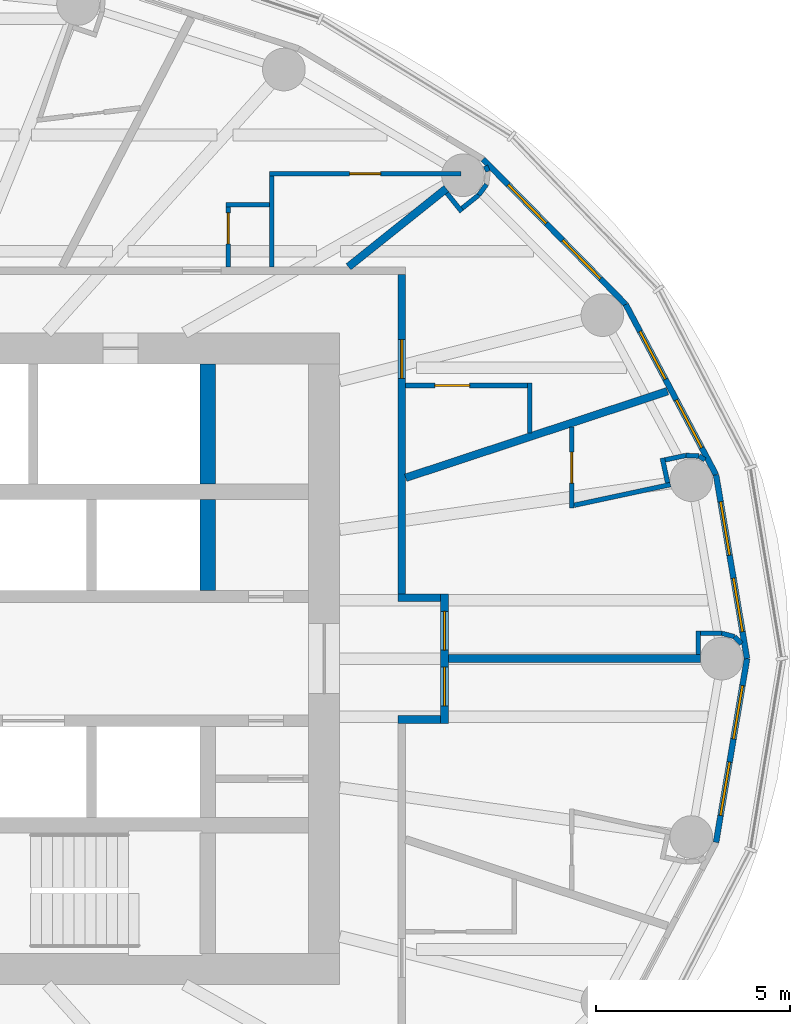
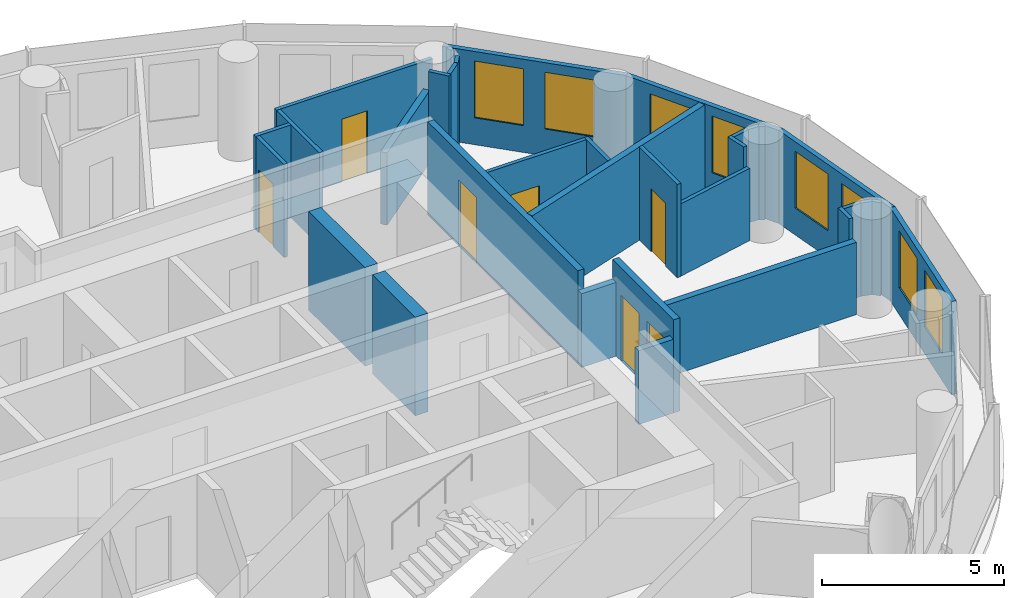
# One storey, part 11 of 16: 33 walls, 8 windows, 7 doors, 15 openings.
"""IFC4 building model written with IfcOpenShell, lengths in metres."""

from ifc_helpers import new_model, si_unit, direction, frame, frame_2d, origin, place, context, subcontext, project, spatial, rectangle, extrude, material, layer, layer_set, type_object, element, fill, save


model = new_model("IFC4")

# Units and contexts
model_context = context("Model", 3, precision=1e-05, world=origin(), true_north=direction((0.0, 1.0)))
body_context = subcontext(model_context, "Body", "Model", "MODEL_VIEW")
ifc_project = project(units=[si_unit("LENGTHUNIT", "METRE"), si_unit("AREAUNIT", "SQUARE_METRE"), si_unit("VOLUMEUNIT", "CUBIC_METRE"), si_unit("PLANEANGLEUNIT", "RADIAN"), si_unit("MASSUNIT", "GRAM", prefix="KILO")], contexts=[model_context])

# Site, building, storey
site_placement = place(None, origin())
site = spatial("IfcSite", under=ifc_project, at=site_placement, CompositionType="ELEMENT")
building_placement = place(site_placement, origin())
building = spatial("IfcBuilding", under=site, at=building_placement, Name="Hankou Lantern Tower", CompositionType="ELEMENT")
storey_placement = place(building_placement, frame((0.0, 0.0, 146.699951171875)))
storey = spatial("IfcBuildingStorey", under=building, at=storey_placement, Name="L38", CompositionType="ELEMENT", Elevation=146.699951171875)

# Walls
ifc_material_1 = material(Name="Concrete C60", Category="concrete")
ifc_layer_1 = layer(ifc_material_1, 0.39990234375)
ifc_layer_set_1 = layer_set([ifc_layer_1], Name="Concrete C60")
wall_type_1 = type_object("IfcWallType", Name="CW4 CORE CROSS WALL 400", PredefinedType="SHEAR", material=ifc_layer_set_1)
wall_1_placement = place(storey_placement, frame((9.0, 4.5, 0.0), z_axis=(0.0, 0.0, 1.0), x_axis=(0.0, 1.0, 0.0)))
element("IfcWall", 1, at=wall_1_placement, inside=storey, type_object=wall_type_1, Name="Core strip wall L38", PredefinedType="SHEAR", context=body_context, shape_type="SweptSolid", body=[
    extrude(rectangle(XDim=3.10009765625, YDim=0.39990234375, at=frame_2d((1.550048828125, 0.0))), origin(), (0.0, 0.0, 1.0), 3.300048828125),
])
wall_2_placement = place(storey_placement, frame((9.0, 1.75, 0.0), z_axis=(0.0, 0.0, 1.0), x_axis=(0.0, 1.0, 0.0)))
element("IfcWall", 2, at=wall_2_placement, inside=storey, type_object=wall_type_1, Name="Core strip wall L38", PredefinedType="SHEAR", context=body_context, shape_type="SweptSolid", body=[
    extrude(rectangle(XDim=2.35009765625, YDim=0.39990234375, at=frame_2d((1.175048828125, 0.0))), origin(), (0.0, 0.0, 1.0), 3.300048828125),
])

# Wall, openings, windows
ifc_material_2 = material(Name="Aluminium spandrel panel on steel studs", Category="steel")
ifc_layer_2 = layer(ifc_material_2, 0.14990234375)
ifc_layer_set_2 = layer_set([ifc_layer_2], Name="Aluminium spandrel panel on steel studs")
wall_type_2 = type_object("IfcWallType", Name="EW1 INNER SKIN WALL 150", PredefinedType="ELEMENTEDWALL", material=ifc_layer_set_2)
wall_3_placement = place(storey_placement, frame((22.89990234375, 0.0, 0.0), z_axis=(0.0, 0.0, 1.0), x_axis=(-0.166162111254, 0.986098449843, 0.0)))
wall_3 = element("IfcWall", 3, at=wall_3_placement, inside=storey, type_object=wall_type_2, Name="Inner skin R01-R02 L38", PredefinedType="ELEMENTEDWALL", context=body_context, shape_type="SweptSolid", body=[
    extrude(rectangle(XDim=4.8046875, YDim=0.14990234375, at=frame_2d((2.40234375, 0.0))), origin(), (0.0, 0.0, 1.0), 3.1201171875),
])
opening_1_placement = place(wall_3_placement, frame((0.7021484375, 0.0, 0.89990234375)))
opening_1 = element("IfcOpeningElement", 4, at=opening_1_placement, cuts=wall_3, Name="Opening W3", PredefinedType="OPENING", context=body_context, shape_type="SweptSolid", body=[
    extrude(rectangle(XDim=1.39990234375, YDim=1.89990234375, at=frame_2d((0.699951171875, 0.949951171875))), frame((0.0, 0.0849609375, 0.0), z_axis=(0.0, -1.0, 0.0), x_axis=(1.0, 0.0, 0.0)), (0.0, 0.0, 1.0), 0.169921875),
])
opening_2_placement = place(wall_3_placement, frame((2.7021484375, 0.0, 0.89990234375)))
opening_2 = element("IfcOpeningElement", 5, at=opening_2_placement, cuts=wall_3, Name="Opening W3", PredefinedType="OPENING", context=body_context, shape_type="SweptSolid", body=[
    extrude(rectangle(XDim=1.39990234375, YDim=1.89990234375, at=frame_2d((0.699951171875, 0.949951171875))), frame((0.0, 0.0849609375, 0.0), z_axis=(0.0, -1.0, 0.0), x_axis=(1.0, 0.0, 0.0)), (0.0, 0.0, 1.0), 0.169921875),
])
ifc_material_3 = material(Name="Aluminium framed double glazed window", Category="aluminium")
window_type = type_object("IfcWindowType", Name="W3 GUEST ROOM WINDOW 1400X1900", PartitioningType="DOUBLE_PANEL_VERTICAL", PredefinedType="WINDOW", material=ifc_material_3)
window_1_placement = place(opening_1_placement, origin())
window_1 = element("IfcWindow", 6, at=window_1_placement, inside=storey, type_object=window_type, Name="Window R01.1 L38", OverallHeight=1.89990234375, OverallWidth=1.39990234375, PartitioningType="SINGLE_PANEL", PredefinedType="WINDOW", context=body_context, shape_type="SweptSolid", body=[
    extrude(rectangle(XDim=1.39990234375, YDim=1.89990234375, at=frame_2d((0.699951171875, 0.949951171875))), frame((0.0, 0.030029296875, 0.0), z_axis=(0.0, -1.0, 0.0), x_axis=(1.0, 0.0, 0.0)), (0.0, 0.0, 1.0), 0.06005859375),
])
fill(opening_1, window_1)
window_2_placement = place(opening_2_placement, origin())
window_2 = element("IfcWindow", 7, at=window_2_placement, inside=storey, type_object=window_type, Name="Window R01.2 L38", OverallHeight=1.89990234375, OverallWidth=1.39990234375, PartitioningType="SINGLE_PANEL", PredefinedType="WINDOW", context=body_context, shape_type="SweptSolid", body=[
    extrude(rectangle(XDim=1.39990234375, YDim=1.89990234375, at=frame_2d((0.699951171875, 0.949951171875))), frame((0.0, 0.030029296875, 0.0), z_axis=(0.0, -1.0, 0.0), x_axis=(1.0, 0.0, 0.0)), (0.0, 0.0, 1.0), 0.06005859375),
])
fill(opening_2, window_2)

wall_4_placement = place(storey_placement, frame((22.1015625, 4.73779296875, 0.0), z_axis=(0.0, 0.0, 1.0), x_axis=(-0.468428906714, 0.883501193748, 0.0)))
wall_4 = element("IfcWall", 8, at=wall_4_placement, inside=storey, type_object=wall_type_2, Name="Inner skin R02-R03 L38", PredefinedType="ELEMENTEDWALL", context=body_context, shape_type="SweptSolid", body=[
    extrude(rectangle(XDim=4.9736328125, YDim=0.14990234375, at=frame_2d((2.48681640625, 0.0))), origin(), (0.0, 0.0, 1.0), 3.1201171875),
])
opening_3_placement = place(wall_4_placement, frame((0.786865234375, 0.0, 0.89990234375)))
opening_3 = element("IfcOpeningElement", 9, at=opening_3_placement, cuts=wall_4, Name="Opening W3", PredefinedType="OPENING", context=body_context, shape_type="SweptSolid", body=[
    extrude(rectangle(XDim=1.39990234375, YDim=1.89990234375, at=frame_2d((0.699951171875, 0.949951171875))), frame((0.0, 0.0849609375, 0.0), z_axis=(0.0, -1.0, 0.0), x_axis=(1.0, 0.0, 0.0)), (0.0, 0.0, 1.0), 0.169921875),
])
opening_4_placement = place(wall_4_placement, frame((2.786865234375, 0.0, 0.89990234375)))
opening_4 = element("IfcOpeningElement", 10, at=opening_4_placement, cuts=wall_4, Name="Opening W3", PredefinedType="OPENING", context=body_context, shape_type="SweptSolid", body=[
    extrude(rectangle(XDim=1.39990234375, YDim=1.89990234375, at=frame_2d((0.699951171875, 0.949951171875))), frame((0.0, 0.0849609375, 0.0), z_axis=(0.0, -1.0, 0.0), x_axis=(1.0, 0.0, 0.0)), (0.0, 0.0, 1.0), 0.169921875),
])
window_3_placement = place(opening_3_placement, origin())
window_3 = element("IfcWindow", 11, at=window_3_placement, inside=storey, type_object=window_type, Name="Window R02.1 L38", OverallHeight=1.89990234375, OverallWidth=1.39990234375, PartitioningType="SINGLE_PANEL", PredefinedType="WINDOW", context=body_context, shape_type="SweptSolid", body=[
    extrude(rectangle(XDim=1.39990234375, YDim=1.89990234375, at=frame_2d((0.699951171875, 0.949951171875))), frame((0.0, 0.030029296875, 0.0), z_axis=(0.0, -1.0, 0.0), x_axis=(1.0, 0.0, 0.0)), (0.0, 0.0, 1.0), 0.06005859375),
])
fill(opening_3, window_3)
window_4_placement = place(opening_4_placement, origin())
window_4 = element("IfcWindow", 12, at=window_4_placement, inside=storey, type_object=window_type, Name="Window R02.2 L38", OverallHeight=1.89990234375, OverallWidth=1.39990234375, PartitioningType="SINGLE_PANEL", PredefinedType="WINDOW", context=body_context, shape_type="SweptSolid", body=[
    extrude(rectangle(XDim=1.39990234375, YDim=1.89990234375, at=frame_2d((0.699951171875, 0.949951171875))), frame((0.0, 0.030029296875, 0.0), z_axis=(0.0, -1.0, 0.0), x_axis=(1.0, 0.0, 0.0)), (0.0, 0.0, 1.0), 0.06005859375),
])
fill(opening_4, window_4)

wall_5_placement = place(storey_placement, frame((19.771728515625, 9.132080078125, 0.0), z_axis=(0.0, 0.0, 1.0), x_axis=(-0.700727467776, 0.71342905457, 0.0)))
wall_5 = element("IfcWall", 13, at=wall_5_placement, inside=storey, type_object=wall_type_2, Name="Inner skin R03-R04 L38", PredefinedType="ELEMENTEDWALL", context=body_context, shape_type="SweptSolid", body=[
    extrude(rectangle(XDim=5.247314453125, YDim=0.14990234375, at=frame_2d((2.62353515625, 0.0))), origin(), (0.0, 0.0, 1.0), 3.1201171875),
])
opening_5_placement = place(wall_5_placement, frame((0.923583984375, 0.0, 0.89990234375)))
opening_5 = element("IfcOpeningElement", 14, at=opening_5_placement, cuts=wall_5, Name="Opening W3", PredefinedType="OPENING", context=body_context, shape_type="SweptSolid", body=[
    extrude(rectangle(XDim=1.39990234375, YDim=1.89990234375, at=frame_2d((0.699951171875, 0.949951171875))), frame((0.0, 0.0849609375, 0.0), z_axis=(0.0, -1.0, 0.0), x_axis=(1.0, 0.0, 0.0)), (0.0, 0.0, 1.0), 0.169921875),
])
opening_6_placement = place(wall_5_placement, frame((2.923583984375, 0.0, 0.89990234375)))
opening_6 = element("IfcOpeningElement", 15, at=opening_6_placement, cuts=wall_5, Name="Opening W3", PredefinedType="OPENING", context=body_context, shape_type="SweptSolid", body=[
    extrude(rectangle(XDim=1.39990234375, YDim=1.89990234375, at=frame_2d((0.699951171875, 0.949951171875))), frame((0.0, 0.0849609375, 0.0), z_axis=(0.0, -1.0, 0.0), x_axis=(1.0, 0.0, 0.0)), (0.0, 0.0, 1.0), 0.169921875),
])
window_5_placement = place(opening_5_placement, origin())
window_5 = element("IfcWindow", 16, at=window_5_placement, inside=storey, type_object=window_type, Name="Window R03.1 L38", OverallHeight=1.89990234375, OverallWidth=1.39990234375, PartitioningType="SINGLE_PANEL", PredefinedType="WINDOW", context=body_context, shape_type="SweptSolid", body=[
    extrude(rectangle(XDim=1.39990234375, YDim=1.89990234375, at=frame_2d((0.699951171875, 0.949951171875))), frame((0.0, 0.030029296875, 0.0), z_axis=(0.0, -1.0, 0.0), x_axis=(1.0, 0.0, 0.0)), (0.0, 0.0, 1.0), 0.06005859375),
])
fill(opening_5, window_5)
window_6_placement = place(opening_6_placement, origin())
window_6 = element("IfcWindow", 17, at=window_6_placement, inside=storey, type_object=window_type, Name="Window R03.2 L38", OverallHeight=1.89990234375, OverallWidth=1.39990234375, PartitioningType="SINGLE_PANEL", PredefinedType="WINDOW", context=body_context, shape_type="SweptSolid", body=[
    extrude(rectangle(XDim=1.39990234375, YDim=1.89990234375, at=frame_2d((0.699951171875, 0.949951171875))), frame((0.0, 0.030029296875, 0.0), z_axis=(0.0, -1.0, 0.0), x_axis=(1.0, 0.0, 0.0)), (0.0, 0.0, 1.0), 0.06005859375),
])
fill(opening_6, window_6)

wall_6_placement = place(storey_placement, frame((22.1015625, -4.73779296875, 0.0), z_axis=(0.0, 0.0, 1.0), x_axis=(0.166162111254, 0.986098449843, 0.0)))
wall_6 = element("IfcWall", 18, at=wall_6_placement, inside=storey, type_object=wall_type_2, Name="Inner skin R24-R01 L38", PredefinedType="ELEMENTEDWALL", context=body_context, shape_type="SweptSolid", body=[
    extrude(rectangle(XDim=4.8046875, YDim=0.14990234375, at=frame_2d((2.40234375, 0.0))), origin(), (0.0, 0.0, 1.0), 3.1201171875),
])
opening_7_placement = place(wall_6_placement, frame((0.7021484375, 0.0, 0.89990234375)))
opening_7 = element("IfcOpeningElement", 19, at=opening_7_placement, cuts=wall_6, Name="Opening W3", PredefinedType="OPENING", context=body_context, shape_type="SweptSolid", body=[
    extrude(rectangle(XDim=1.39990234375, YDim=1.89990234375, at=frame_2d((0.699951171875, 0.949951171875))), frame((0.0, 0.0849609375, 0.0), z_axis=(0.0, -1.0, 0.0), x_axis=(1.0, 0.0, 0.0)), (0.0, 0.0, 1.0), 0.169921875),
])
opening_8_placement = place(wall_6_placement, frame((2.7021484375, 0.0, 0.89990234375)))
opening_8 = element("IfcOpeningElement", 20, at=opening_8_placement, cuts=wall_6, Name="Opening W3", PredefinedType="OPENING", context=body_context, shape_type="SweptSolid", body=[
    extrude(rectangle(XDim=1.39990234375, YDim=1.89990234375, at=frame_2d((0.699951171875, 0.949951171875))), frame((0.0, 0.0849609375, 0.0), z_axis=(0.0, -1.0, 0.0), x_axis=(1.0, 0.0, 0.0)), (0.0, 0.0, 1.0), 0.169921875),
])
window_7_placement = place(opening_7_placement, origin())
window_7 = element("IfcWindow", 21, at=window_7_placement, inside=storey, type_object=window_type, Name="Window R24.1 L38", OverallHeight=1.89990234375, OverallWidth=1.39990234375, PartitioningType="SINGLE_PANEL", PredefinedType="WINDOW", context=body_context, shape_type="SweptSolid", body=[
    extrude(rectangle(XDim=1.39990234375, YDim=1.89990234375, at=frame_2d((0.699951171875, 0.949951171875))), frame((0.0, 0.030029296875, 0.0), z_axis=(0.0, -1.0, 0.0), x_axis=(1.0, 0.0, 0.0)), (0.0, 0.0, 1.0), 0.06005859375),
])
fill(opening_7, window_7)
window_8_placement = place(opening_8_placement, origin())
window_8 = element("IfcWindow", 22, at=window_8_placement, inside=storey, type_object=window_type, Name="Window R24.2 L38", OverallHeight=1.89990234375, OverallWidth=1.39990234375, PartitioningType="SINGLE_PANEL", PredefinedType="WINDOW", context=body_context, shape_type="SweptSolid", body=[
    extrude(rectangle(XDim=1.39990234375, YDim=1.89990234375, at=frame_2d((0.699951171875, 0.949951171875))), frame((0.0, 0.030029296875, 0.0), z_axis=(0.0, -1.0, 0.0), x_axis=(1.0, 0.0, 0.0)), (0.0, 0.0, 1.0), 0.06005859375),
])
fill(opening_8, window_8)

# Walls
ifc_material_4 = material(Name="Masonry lightweight concrete block", Category="masonry")
ifc_layer_3 = layer(ifc_material_4, 0.199951171875)
ifc_layer_set_3 = layer_set([ifc_layer_3], Name="Masonry lightweight concrete block")
wall_type_3 = type_object("IfcWallType", Name="IW1 GUEST ROOM PARTY WALL 200", PredefinedType="PARTITIONING", material=ifc_layer_set_3)
wall_7_placement = place(storey_placement, frame((15.199951171875, 0.0, 0.0), z_axis=(0.0, 0.0, 1.0), x_axis=(1.0, 0.0, 0.0)))
element("IfcWall", 23, at=wall_7_placement, inside=storey, type_object=wall_type_3, Name="Party wall R01", PredefinedType="PARTITIONING", context=body_context, shape_type="SweptSolid", body=[
    extrude(rectangle(XDim=6.5, YDim=0.199951171875, at=frame_2d((3.25, 0.0))), origin(), (0.0, 0.0, 1.0), 2.420166015625),
])
wall_8_placement = place(storey_placement, frame((14.10009765625, 4.661376953125, 0.0), z_axis=(0.0, 0.0, 1.0), x_axis=(0.949453216399, 0.313908569285, 0.0)))
element("IfcWall", 24, at=wall_8_placement, inside=storey, type_object=wall_type_3, Name="Party wall R02-R03", PredefinedType="PARTITIONING", context=body_context, shape_type="SweptSolid", body=[
    extrude(rectangle(XDim=7.108642578125, YDim=0.199951171875, at=frame_2d((3.55419921875, 0.0))), origin(), (0.0, 0.0, 1.0), 3.1201171875),
])
wall_9_placement = place(storey_placement, frame((12.625, 10.10009765625, 0.0), z_axis=(0.0, 0.0, 1.0), x_axis=(0.780876185034, 0.624685827954, 0.0)))
element("IfcWall", 25, at=wall_9_placement, inside=storey, type_object=wall_type_3, Name="Party wall R04", PredefinedType="PARTITIONING", context=body_context, shape_type="SweptSolid", body=[
    extrude(rectangle(XDim=3.229248046875, YDim=0.199951171875, at=frame_2d((1.61474609375, 0.0))), origin(), (0.0, 0.0, 1.0), 2.420166015625),
])

# Wall, openings, doors
ifc_material_5 = material(Name="Masonry lightweight concrete block", Category="masonry")
ifc_layer_4 = layer(ifc_material_5, 0.199951171875)
ifc_layer_set_4 = layer_set([ifc_layer_4], Name="Masonry lightweight concrete block")
wall_type_4 = type_object("IfcWallType", Name="IW2 CORRIDOR WALL 200", PredefinedType="PARTITIONING", material=ifc_layer_set_4)
wall_10_placement = place(storey_placement, frame((15.10009765625, -1.669921875, 0.0), z_axis=(0.0, 0.0, 1.0), x_axis=(0.0, 1.0, 0.0)))
wall_10 = element("IfcWall", 26, at=wall_10_placement, inside=storey, type_object=wall_type_4, Name="Corridor alcove wall 3815-3816 back", PredefinedType="PARTITIONING", context=body_context, shape_type="SweptSolid", body=[
    extrude(rectangle(XDim=3.33984375, YDim=0.199951171875, at=frame_2d((1.669921875, 0.0))), origin(), (0.0, 0.0, 1.0), 3.1201171875),
])
opening_9_placement = place(wall_10_placement, frame((0.449951171875, 0.0, 0.0)))
opening_9 = element("IfcOpeningElement", 27, at=opening_9_placement, cuts=wall_10, Name="Opening D1", PredefinedType="OPENING", context=body_context, shape_type="SweptSolid", body=[
    extrude(rectangle(XDim=1.0, YDim=2.199951171875, at=frame_2d((0.5, 1.10009765625))), frame((0.0, 0.10986328125, 0.0), z_axis=(0.0, -1.0, 0.0), x_axis=(1.0, 0.0, 0.0)), (0.0, 0.0, 1.0), 0.219970703125),
])
opening_10_placement = place(wall_10_placement, frame((1.889892578125, 0.0, 0.0)))
opening_10 = element("IfcOpeningElement", 28, at=opening_10_placement, cuts=wall_10, Name="Opening D1", PredefinedType="OPENING", context=body_context, shape_type="SweptSolid", body=[
    extrude(rectangle(XDim=1.0, YDim=2.199951171875, at=frame_2d((0.5, 1.10009765625))), frame((0.0, 0.10986328125, 0.0), z_axis=(0.0, -1.0, 0.0), x_axis=(1.0, 0.0, 0.0)), (0.0, 0.0, 1.0), 0.219970703125),
])
ifc_material_6 = material(Name="Steel door leaf", Category="steel")
door_type_1 = type_object("IfcDoorType", Name="D1 GUEST ROOM DOOR 1000X2200", OperationType="SINGLE_SWING_LEFT", PredefinedType="DOOR", material=ifc_material_6)
door_1_placement = place(opening_9_placement, origin())
door_1 = element("IfcDoor", 29, at=door_1_placement, inside=storey, type_object=door_type_1, Name="Guest room door 3815", OperationType="SINGLE_SWING_LEFT", OverallHeight=2.199951171875, OverallWidth=1.0, PredefinedType="DOOR", context=body_context, shape_type="SweptSolid", body=[
    extrude(rectangle(XDim=1.0, YDim=2.199951171875, at=frame_2d((0.5, 1.10009765625))), frame((0.0, 0.02490234375, 0.0), z_axis=(0.0, -1.0, 0.0), x_axis=(1.0, 0.0, 0.0)), (0.0, 0.0, 1.0), 0.050048828125),
])
fill(opening_9, door_1)
door_2_placement = place(opening_10_placement, origin())
door_2 = element("IfcDoor", 30, at=door_2_placement, inside=storey, type_object=door_type_1, Name="Guest room door 3816", OperationType="SINGLE_SWING_RIGHT", OverallHeight=2.199951171875, OverallWidth=1.0, PredefinedType="DOOR", context=body_context, shape_type="SweptSolid", body=[
    extrude(rectangle(XDim=1.0, YDim=2.199951171875, at=frame_2d((0.5, 1.10009765625))), frame((0.0, 0.02490234375, 0.0), z_axis=(0.0, -1.0, 0.0), x_axis=(1.0, 0.0, 0.0)), (0.0, 0.0, 1.0), 0.050048828125),
])
fill(opening_10, door_2)

# Walls
for number, where, z_axis, x_axis, name in (
    (31, (13.89990234375, -1.570068359375, 0.0), (0.0, 0.0, 1.0), (1.0, 0.0, 0.0), "Corridor alcove wall 3815-3816 left"),
    (32, (13.89990234375, 1.570068359375, 0.0), (0.0, 0.0, 1.0), (1.0, 0.0, 0.0), "Corridor alcove wall 3815-3816 right"),
):
    element("IfcWall", number, at=place(storey_placement, frame(where, z_axis=z_axis, x_axis=x_axis)), inside=storey, type_object=wall_type_4, Name=name, PredefinedType="PARTITIONING", context=body_context, shape_type="SweptSolid", body=[
        extrude(rectangle(XDim=1.10009765625, YDim=0.199951171875, at=frame_2d((0.550048828125, 0.0))), origin(), (0.0, 0.0, 1.0), 2.469970703125),
    ])

# Wall, opening, door
wall_11_placement = place(storey_placement, frame((14.0, 1.669921875, 0.0), z_axis=(0.0, 0.0, 1.0), x_axis=(0.0, 1.0, 0.0)))
wall_11 = element("IfcWall", 33, at=wall_11_placement, inside=storey, type_object=wall_type_4, Name="Corridor wall east", PredefinedType="PARTITIONING", context=body_context, shape_type="SweptSolid", body=[
    extrude(rectangle(XDim=8.22998046875, YDim=0.199951171875, at=frame_2d((4.114990234375, 0.0))), origin(), (0.0, 0.0, 1.0), 3.1201171875),
])
opening_11_placement = place(wall_11_placement, frame((5.551513671875, 0.0, 0.0)))
opening_11 = element("IfcOpeningElement", 34, at=opening_11_placement, cuts=wall_11, Name="Opening D1", PredefinedType="OPENING", context=body_context, shape_type="SweptSolid", body=[
    extrude(rectangle(XDim=1.0, YDim=2.199951171875, at=frame_2d((0.5, 1.10009765625))), frame((0.0, 0.10986328125, 0.0), z_axis=(0.0, -1.0, 0.0), x_axis=(1.0, 0.0, 0.0)), (0.0, 0.0, 1.0), 0.219970703125),
])
door_3_placement = place(opening_11_placement, origin())
door_3 = element("IfcDoor", 35, at=door_3_placement, inside=storey, type_object=door_type_1, Name="Guest room door 3801", OperationType="SINGLE_SWING_RIGHT", OverallHeight=2.199951171875, OverallWidth=1.0, PredefinedType="DOOR", context=body_context, shape_type="SweptSolid", body=[
    extrude(rectangle(XDim=1.0, YDim=2.199951171875, at=frame_2d((0.5, 1.10009765625))), frame((0.0, 0.02490234375, 0.0), z_axis=(0.0, -1.0, 0.0), x_axis=(1.0, 0.0, 0.0)), (0.0, 0.0, 1.0), 0.050048828125),
])
fill(opening_11, door_3)

# Wall
ifc_material_7 = material(Name="Masonry lightweight concrete block", Category="masonry")
ifc_layer_5 = layer(ifc_material_7, 0.1201171875)
ifc_layer_set_5 = layer_set([ifc_layer_5], Name="Masonry lightweight concrete block")
wall_type_5 = type_object("IfcWallType", Name="IW3 BATHROOM WALL 120", PredefinedType="PARTITIONING", material=ifc_layer_set_5)
wall_12_placement = place(storey_placement, frame((17.300048828125, 5.8193359375, 0.0), z_axis=(0.0, 0.0, 1.0), x_axis=(0.0, 1.0, 0.0)))
element("IfcWall", 36, at=wall_12_placement, inside=storey, type_object=wall_type_5, Name="Box wall 3801 1", PredefinedType="PARTITIONING", context=body_context, shape_type="SweptSolid", body=[
    extrude(rectangle(XDim=1.2822265625, YDim=0.1201171875, at=frame_2d((0.64111328125, 0.0))), origin(), (0.0, 0.0, 1.0), 3.1201171875),
])

# Wall, opening, door
wall_13_placement = place(storey_placement, frame((14.10009765625, 7.04150390625, 0.0), z_axis=(0.0, 0.0, 1.0), x_axis=(1.0, 0.0, 0.0)))
wall_13 = element("IfcWall", 37, at=wall_13_placement, inside=storey, type_object=wall_type_5, Name="Box wall 3801 1", PredefinedType="PARTITIONING", context=body_context, shape_type="SweptSolid", body=[
    extrude(rectangle(XDim=3.139892578125, YDim=0.1201171875, at=frame_2d((1.56982421875, 0.0))), origin(), (0.0, 0.0, 1.0), 3.1201171875),
])
opening_12_placement = place(wall_13_placement, frame((0.75, 0.0, 0.0)))
opening_12 = element("IfcOpeningElement", 38, at=opening_12_placement, cuts=wall_13, Name="Opening D26", PredefinedType="OPENING", context=body_context, shape_type="SweptSolid", body=[
    extrude(rectangle(XDim=0.89990234375, YDim=2.10009765625, at=frame_2d((0.449951171875, 1.050048828125))), frame((0.0, 0.070068359375, 0.0), z_axis=(0.0, -1.0, 0.0), x_axis=(1.0, 0.0, 0.0)), (0.0, 0.0, 1.0), 0.14013671875),
])
ifc_material_8 = material(Name="Timber door leaf", Category="wood")
door_type_2 = type_object("IfcDoorType", Name="D26 ACCESSIBLE BATHROOM DOOR 900X2100", OperationType="SLIDING_TO_LEFT", PredefinedType="DOOR", material=ifc_material_8)
door_4_placement = place(opening_12_placement, origin())
door_4 = element("IfcDoor", 39, at=door_4_placement, inside=storey, type_object=door_type_2, Name="Accessible bathroom 3801 door", OperationType="SLIDING_TO_LEFT", OverallHeight=2.10009765625, OverallWidth=0.89990234375, PredefinedType="DOOR", context=body_context, shape_type="SweptSolid", body=[
    extrude(rectangle(XDim=0.89990234375, YDim=2.10009765625, at=frame_2d((0.449951171875, 1.050048828125))), frame((0.0, 0.02490234375, 0.0), z_axis=(0.0, -1.0, 0.0), x_axis=(1.0, 0.0, 0.0)), (0.0, 0.0, 1.0), 0.050048828125),
])
fill(opening_12, door_4)

wall_14_placement = place(storey_placement, frame((15.52490234375, 12.5, 0.0), z_axis=(0.0, 0.0, 1.0), x_axis=(-1.0, 0.0, 0.0)))
wall_14 = element("IfcWall", 40, at=wall_14_placement, inside=storey, type_object=wall_type_5, Name="Box wall 3802 1", PredefinedType="PARTITIONING", context=body_context, shape_type="SweptSolid", body=[
    extrude(rectangle(XDim=4.93994140625, YDim=0.1201171875, at=frame_2d((2.469970703125, 0.0))), origin(), (0.0, 0.0, 1.0), 3.1201171875),
])
opening_13_placement = place(wall_14_placement, frame((2.070068359375, 0.0, 0.0)))
opening_13 = element("IfcOpeningElement", 41, at=opening_13_placement, cuts=wall_14, Name="Opening D3", PredefinedType="OPENING", context=body_context, shape_type="SweptSolid", body=[
    extrude(rectangle(XDim=0.800048828125, YDim=2.10009765625, at=frame_2d((0.39990234375, 1.050048828125))), frame((0.0, 0.070068359375, 0.0), z_axis=(0.0, -1.0, 0.0), x_axis=(1.0, 0.0, 0.0)), (0.0, 0.0, 1.0), 0.14013671875),
])
ifc_material_9 = material(Name="Timber door leaf", Category="wood")
door_type_3 = type_object("IfcDoorType", Name="D3 BATHROOM DOOR 800X2100", OperationType="SINGLE_SWING_LEFT", PredefinedType="DOOR", material=ifc_material_9)
door_5_placement = place(opening_13_placement, origin())
door_5 = element("IfcDoor", 42, at=door_5_placement, inside=storey, type_object=door_type_3, Name="En-suite bathroom 3802 door", OperationType="SINGLE_SWING_LEFT", OverallHeight=2.10009765625, OverallWidth=0.800048828125, PredefinedType="DOOR", context=body_context, shape_type="SweptSolid", body=[
    extrude(rectangle(XDim=0.800048828125, YDim=2.10009765625, at=frame_2d((0.39990234375, 1.050048828125))), frame((0.0, 0.02490234375, 0.0), z_axis=(0.0, -1.0, 0.0), x_axis=(1.0, 0.0, 0.0)), (0.0, 0.0, 1.0), 0.050048828125),
])
fill(opening_13, door_5)

# Walls
wall_15_placement = place(storey_placement, frame((10.64501953125, 10.10009765625, 0.0), z_axis=(0.0, 0.0, 1.0), x_axis=(0.0, 1.0, 0.0)))
element("IfcWall", 43, at=wall_15_placement, inside=storey, type_object=wall_type_5, Name="Box wall 3802 1", PredefinedType="PARTITIONING", context=body_context, shape_type="SweptSolid", body=[
    extrude(rectangle(XDim=2.33984375, YDim=0.1201171875, at=frame_2d((1.169921875, 0.0))), origin(), (0.0, 0.0, 1.0), 3.1201171875),
])
wall_16_placement = place(storey_placement, frame((10.5849609375, 11.699951171875, 0.0), z_axis=(0.0, 0.0, 1.0), x_axis=(-1.0, 0.0, 0.0)))
element("IfcWall", 44, at=wall_16_placement, inside=storey, type_object=wall_type_5, Name="Box wall 3802 2", PredefinedType="PARTITIONING", context=body_context, shape_type="SweptSolid", body=[
    extrude(rectangle(XDim=1.119873046875, YDim=0.1201171875, at=frame_2d((0.56005859375, 0.0))), origin(), (0.0, 0.0, 1.0), 3.1201171875),
])

# Wall, opening, door
wall_17_placement = place(storey_placement, frame((9.52490234375, 10.10009765625, 0.0), z_axis=(0.0, 0.0, 1.0), x_axis=(0.0, 1.0, 0.0)))
wall_17 = element("IfcWall", 45, at=wall_17_placement, inside=storey, type_object=wall_type_5, Name="Box wall 3802 2", PredefinedType="PARTITIONING", context=body_context, shape_type="SweptSolid", body=[
    extrude(rectangle(XDim=1.539794921875, YDim=0.1201171875, at=frame_2d((0.77001953125, 0.0))), origin(), (0.0, 0.0, 1.0), 3.1201171875),
])
opening_14_placement = place(wall_17_placement, frame((0.590087890625, 0.0, 0.0)))
opening_14 = element("IfcOpeningElement", 46, at=opening_14_placement, cuts=wall_17, Name="Opening D3", PredefinedType="OPENING", context=body_context, shape_type="SweptSolid", body=[
    extrude(rectangle(XDim=0.800048828125, YDim=2.10009765625, at=frame_2d((0.39990234375, 1.050048828125))), frame((0.0, 0.070068359375, 0.0), z_axis=(0.0, -1.0, 0.0), x_axis=(1.0, 0.0, 0.0)), (0.0, 0.0, 1.0), 0.14013671875),
])
door_6_placement = place(opening_14_placement, origin())
door_6 = element("IfcDoor", 47, at=door_6_placement, inside=storey, type_object=door_type_3, Name="En-suite WC 3802 door", OperationType="SINGLE_SWING_LEFT", OverallHeight=2.10009765625, OverallWidth=0.800048828125, PredefinedType="DOOR", context=body_context, shape_type="SweptSolid", body=[
    extrude(rectangle(XDim=0.800048828125, YDim=2.10009765625, at=frame_2d((0.39990234375, 1.050048828125))), frame((0.0, 0.02490234375, 0.0), z_axis=(0.0, -1.0, 0.0), x_axis=(1.0, 0.0, 0.0)), (0.0, 0.0, 1.0), 0.050048828125),
])
fill(opening_14, door_6)

wall_18_placement = place(storey_placement, frame((18.380859375, 5.971435546875, 0.0), z_axis=(0.0, 0.0, 1.0), x_axis=(0.000934142516, -0.999999563689, 0.0)))
wall_18 = element("IfcWall", 48, at=wall_18_placement, inside=storey, type_object=wall_type_5, Name="Box wall 3816 1", PredefinedType="PARTITIONING", context=body_context, shape_type="SweptSolid", body=[
    extrude(rectangle(XDim=2.0908203125, YDim=0.1201171875, at=frame_2d((1.04541015625, 0.0))), origin(), (0.0, 0.0, 1.0), 3.1201171875),
])
opening_15_placement = place(wall_18_placement, frame((0.6455078125, 0.0, 0.0)))
opening_15 = element("IfcOpeningElement", 49, at=opening_15_placement, cuts=wall_18, Name="Opening D3", PredefinedType="OPENING", context=body_context, shape_type="SweptSolid", body=[
    extrude(rectangle(XDim=0.800048828125, YDim=2.10009765625, at=frame_2d((0.39990234375, 1.050048828125))), frame((0.0, 0.070068359375, 0.0), z_axis=(0.0, -1.0, 0.0), x_axis=(1.0, 0.0, 0.0)), (0.0, 0.0, 1.0), 0.14013671875),
])
door_7_placement = place(opening_15_placement, origin())
door_7 = element("IfcDoor", 50, at=door_7_placement, inside=storey, type_object=door_type_3, Name="En-suite bathroom 3816 door", OperationType="SINGLE_SWING_RIGHT", OverallHeight=2.10009765625, OverallWidth=0.800048828125, PredefinedType="DOOR", context=body_context, shape_type="SweptSolid", body=[
    extrude(rectangle(XDim=0.800048828125, YDim=2.10009765625, at=frame_2d((0.39990234375, 1.050048828125))), frame((0.0, 0.02490234375, 0.0), z_axis=(0.0, -1.0, 0.0), x_axis=(1.0, 0.0, 0.0)), (0.0, 0.0, 1.0), 0.050048828125),
])
fill(opening_15, door_7)

# Walls
wall_19_placement = place(storey_placement, frame((18.44140625, 3.953125, 0.0), z_axis=(0.0, 0.0, 1.0), x_axis=(0.977801007461, 0.209535652833, 0.0)))
element("IfcWall", 51, at=wall_19_placement, inside=storey, type_object=wall_type_5, Name="Box wall 3816 2", PredefinedType="PARTITIONING", context=body_context, shape_type="SweptSolid", body=[
    extrude(rectangle(XDim=2.5400390625, YDim=0.1201171875, at=frame_2d((1.27001953125, 0.0))), origin(), (0.0, 0.0, 1.0), 2.420166015625),
])
wall_20_placement = place(storey_placement, frame((20.853759765625, 4.531494140625, 0.0), z_axis=(0.0, 0.0, 1.0), x_axis=(-0.209631346779, 0.977780496046, 0.0)))
element("IfcWall", 52, at=wall_20_placement, inside=storey, type_object=wall_type_5, Name="Column casing 3816 return", PredefinedType="PARTITIONING", context=body_context, shape_type="SweptSolid", body=[
    extrude(rectangle(XDim=0.652099609375, YDim=0.1201171875, at=frame_2d((0.326171875, 0.0))), origin(), (0.0, 0.0, 1.0), 3.1201171875),
])
wall_21_placement = place(storey_placement, frame((20.788330078125, 5.123291015625, 0.0), z_axis=(0.0, 0.0, 1.0), x_axis=(0.977789415726, 0.209589738521, 0.0)))
element("IfcWall", 53, at=wall_21_placement, inside=storey, type_object=wall_type_5, Name="Column casing 3816", PredefinedType="PARTITIONING", context=body_context, shape_type="SweptSolid", body=[
    extrude(rectangle(XDim=0.5498046875, YDim=0.1201171875, at=frame_2d((0.27490234375, 0.0))), origin(), (0.0, 0.0, 1.0), 3.1201171875),
])
wall_22_placement = place(storey_placement, frame((21.325927734375, 5.238525390625, 0.0), z_axis=(0.0, 0.0, 1.0), x_axis=(0.998719689441, -0.050586380797, 0.0)))
element("IfcWall", 54, at=wall_22_placement, inside=storey, type_object=wall_type_5, Name="Column casing 3816", PredefinedType="PARTITIONING", context=body_context, shape_type="SweptSolid", body=[
    extrude(rectangle(XDim=0.337890625, YDim=0.1201171875, at=frame_2d((0.1689453125, 0.0))), origin(), (0.0, 0.0, 1.0), 3.1201171875),
])
wall_23_placement = place(storey_placement, frame((21.663330078125, 5.221435546875, 0.0), z_axis=(0.0, 0.0, 1.0), x_axis=(0.839279022252, -0.543700949795, 0.0)))
element("IfcWall", 55, at=wall_23_placement, inside=storey, type_object=wall_type_5, Name="Column casing 3816", PredefinedType="PARTITIONING", context=body_context, shape_type="SweptSolid", body=[
    extrude(rectangle(XDim=0.18017578125, YDim=0.1201171875, at=frame_2d((0.090087890625, 0.0))), origin(), (0.0, 0.0, 1.0), 3.1201171875),
])
ifc_material_10 = material(Name="Masonry lightweight concrete block", Category="masonry")
ifc_layer_6 = layer(ifc_material_10, 0.1201171875)
ifc_layer_set_6 = layer_set([ifc_layer_6], Name="Masonry lightweight concrete block")
wall_type_6 = type_object("IfcWallType", Name="IW4 PARTITION 120", PredefinedType="PARTITIONING", material=ifc_layer_set_6)
wall_24_placement = place(storey_placement, frame((21.639892578125, 0.10009765625, 0.0), z_axis=(0.0, 0.0, 1.0), x_axis=(0.0, 1.0, 0.0)))
element("IfcWall", 56, at=wall_24_placement, inside=storey, type_object=wall_type_6, Name="Column casing R01 return", PredefinedType="PARTITIONING", context=body_context, shape_type="SweptSolid", body=[
    extrude(rectangle(XDim=0.612060546875, YDim=0.1201171875, at=frame_2d((0.30615234375, 0.0))), origin(), (0.0, 0.0, 1.0), 3.1201171875),
])
wall_25_placement = place(storey_placement, frame((21.699951171875, 0.65234375, 0.0), z_axis=(0.0, 0.0, 1.0), x_axis=(1.0, 0.0, 0.0)))
element("IfcWall", 57, at=wall_25_placement, inside=storey, type_object=wall_type_6, Name="Column casing R01", PredefinedType="PARTITIONING", context=body_context, shape_type="SweptSolid", body=[
    extrude(rectangle(XDim=0.550048828125, YDim=0.1201171875, at=frame_2d((0.27490234375, 0.0))), origin(), (0.0, 0.0, 1.0), 3.1201171875),
])
wall_26_placement = place(storey_placement, frame((22.25, 0.65234375, 0.0), z_axis=(0.0, 0.0, 1.0), x_axis=(0.965922233104, -0.258832454679, 0.0)))
element("IfcWall", 58, at=wall_26_placement, inside=storey, type_object=wall_type_6, Name="Column casing R01", PredefinedType="PARTITIONING", context=body_context, shape_type="SweptSolid", body=[
    extrude(rectangle(XDim=0.337646484375, YDim=0.1201171875, at=frame_2d((0.1689453125, 0.0))), origin(), (0.0, 0.0, 1.0), 3.1201171875),
])
wall_27_placement = place(storey_placement, frame((22.576171875, 0.56494140625, 0.0), z_axis=(0.0, 0.0, 1.0), x_axis=(0.706639272724, -0.707573980757, 0.0)))
element("IfcWall", 59, at=wall_27_placement, inside=storey, type_object=wall_type_6, Name="Column casing R01", PredefinedType="PARTITIONING", context=body_context, shape_type="SweptSolid", body=[
    extrude(rectangle(XDim=0.26123046875, YDim=0.1201171875, at=frame_2d((0.130615234375, 0.0))), origin(), (0.0, 0.0, 1.0), 3.1201171875),
])
wall_28_placement = place(storey_placement, frame((15.162353515625, 12.001708984375, 0.0), z_axis=(0.0, 0.0, 1.0), x_axis=(0.624597762427, -0.780946627607, 0.0)))
element("IfcWall", 60, at=wall_28_placement, inside=storey, type_object=wall_type_6, Name="Column casing R04 return", PredefinedType="PARTITIONING", context=body_context, shape_type="SweptSolid", body=[
    extrude(rectangle(XDim=0.612060546875, YDim=0.1201171875, at=frame_2d((0.30615234375, 0.0))), origin(), (0.0, 0.0, 1.0), 3.1201171875),
])
wall_29_placement = place(storey_placement, frame((15.55419921875, 11.60791015625, 0.0), z_axis=(0.0, 0.0, 1.0), x_axis=(0.780695577787, 0.624911525597, 0.0)))
element("IfcWall", 61, at=wall_29_placement, inside=storey, type_object=wall_type_6, Name="Column casing R04", PredefinedType="PARTITIONING", context=body_context, shape_type="SweptSolid", body=[
    extrude(rectangle(XDim=0.550048828125, YDim=0.1201171875, at=frame_2d((0.27490234375, 0.0))), origin(), (0.0, 0.0, 1.0), 3.1201171875),
])
wall_30_placement = place(storey_placement, frame((15.983642578125, 11.95166015625, 0.0), z_axis=(0.0, 0.0, 1.0), x_axis=(0.592335221171, 0.805691619517, 0.0)))
element("IfcWall", 62, at=wall_30_placement, inside=storey, type_object=wall_type_6, Name="Column casing R04", PredefinedType="PARTITIONING", context=body_context, shape_type="SweptSolid", body=[
    extrude(rectangle(XDim=0.337646484375, YDim=0.1201171875, at=frame_2d((0.1689453125, 0.0))), origin(), (0.0, 0.0, 1.0), 3.1201171875),
])
wall_31_placement = place(storey_placement, frame((16.220947265625, 12.55908203125, 0.0), z_axis=(0.0, 0.0, 1.0), x_axis=(-0.401064416249, 0.916049853457, 0.0)))
element("IfcWall", 63, at=wall_31_placement, inside=storey, type_object=wall_type_6, Name="Column casing R04", PredefinedType="PARTITIONING", context=body_context, shape_type="SweptSolid", body=[
    extrude(rectangle(XDim=0.156494140625, YDim=0.1201171875, at=frame_2d((0.078125, 0.0))), origin(), (0.0, 0.0, 1.0), 3.1201171875),
])

save(model, "model.ifc")
